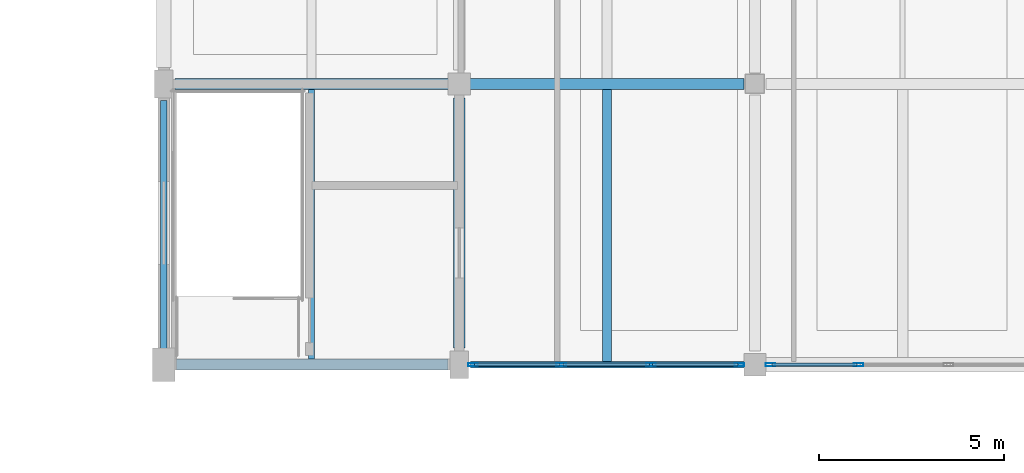
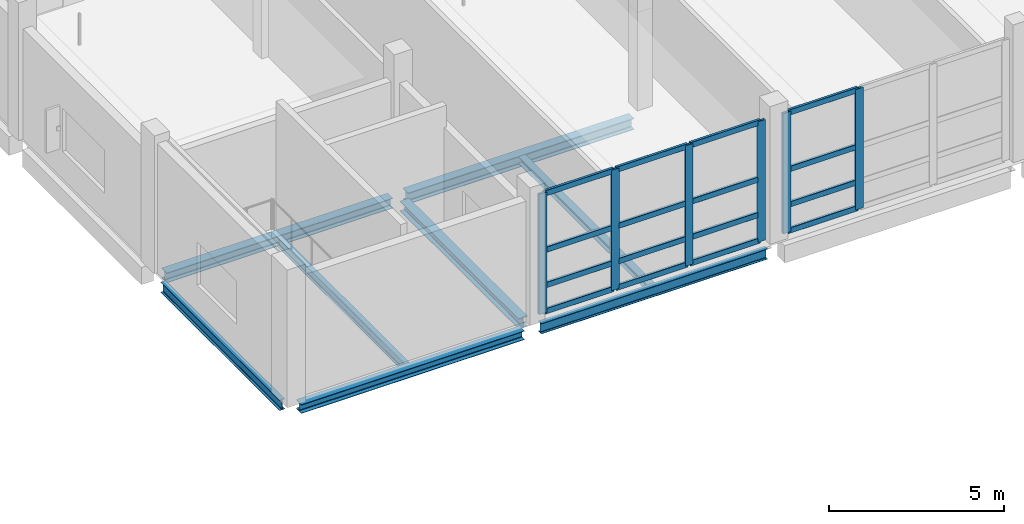
# One storey, part 56 of 147: 22 members, 8 beams, 2 elements without a shape of their own.
"""IFC4 building model written with IfcOpenShell, lengths in metres."""

from ifc_helpers import new_model, si_unit, direction, frame, origin, origin_2d, place, context, subcontext, project, spatial, hollow_rectangle, i_section, extrude, material, material_profile, profile_set, type_object, element, aggregate, save


model = new_model("IFC4")

# Units and contexts
model_context = context("Model", 3, precision=1e-05, world=origin(), true_north=direction((0.0, 1.0)))
body_context = subcontext(model_context, "Body", "Model", "MODEL_VIEW")
ifc_project = project(units=[si_unit("LENGTHUNIT", "METRE"), si_unit("AREAUNIT", "SQUARE_METRE"), si_unit("VOLUMEUNIT", "CUBIC_METRE"), si_unit("PLANEANGLEUNIT", "RADIAN"), si_unit("MASSUNIT", "GRAM", prefix="KILO")], contexts=[model_context])

# Site, building, storey
site_placement = place(None, origin())
site = spatial("IfcSite", under=ifc_project, at=site_placement, CompositionType="ELEMENT")
building_placement = place(site_placement, origin())
building = spatial("IfcBuilding", under=site, at=building_placement, Name="Khelvaren Railside Concert Hall", CompositionType="ELEMENT")
storey_placement = place(building_placement, frame((0.0, 0.0, 5.39990234375)))
storey = spatial("IfcBuildingStorey", under=building, at=storey_placement, Name="L01", CompositionType="ELEMENT", Elevation=5.39990234375)

# Beams
ifc_material_1 = material(Name="Steel S355", Category="steel")
ifc_material_profile_1 = material_profile(ifc_material_1, i_section(OverallWidth=0.300048828125, OverallDepth=0.389892578125, WebThickness=0.010986328125, FlangeThickness=0.01904296875, FilletRadius=0.027099609375, at=origin_2d()), Name="HEA 400")
ifc_profile_set_1 = profile_set([ifc_material_profile_1], Name="Steel S355")
beam_type_1 = type_object("IfcBeamType", Name="BM23", PredefinedType="BEAM", material=ifc_profile_set_1)
beam_1_placement = place(storey_placement, frame((136.25, 91.199951171875, -0.494873046875), z_axis=(1.0, 0.0, 0.0), x_axis=(0.0, 1.0, 0.0)))
element("IfcBeam", 1, at=beam_1_placement, inside=storey, type_object=beam_type_1, Name="V5 L01 Beam X2.2", PredefinedType="BEAM", context=body_context, shape_type="SweptSolid", body=[
    extrude(i_section(OverallWidth=0.300048828125, OverallDepth=0.389892578125, WebThickness=0.010986328125, FlangeThickness=0.01904296875, FilletRadius=0.027099609375, at=origin_2d()), origin(), (0.0, 0.0, 1.0), 7.449951171875),
])
ifc_material_profile_2 = material_profile(ifc_material_1, i_section(OverallWidth=0.300048828125, OverallDepth=0.35009765625, WebThickness=0.010009765625, FlangeThickness=0.017578125, FilletRadius=0.027099609375, at=origin_2d()), Name="HEA 360")
ifc_profile_set_2 = profile_set([ifc_material_profile_2], Name="Steel S355")
beam_type_2 = type_object("IfcBeamType", Name="BM73", PredefinedType="BEAM", material=ifc_profile_set_2)
beam_2_placement = place(storey_placement, frame((128.300048828125, 91.199951171875, -0.474853515625), z_axis=(1.0, 0.0, 0.0), x_axis=(0.0, 1.0, 0.0)))
element("IfcBeam", 2, at=beam_2_placement, inside=storey, type_object=beam_type_2, Name="V5 L01 Beam X2.1", PredefinedType="BEAM", context=body_context, shape_type="SweptSolid", body=[
    extrude(i_section(OverallWidth=0.300048828125, OverallDepth=0.35009765625, WebThickness=0.010009765625, FlangeThickness=0.017578125, FilletRadius=0.027099609375, at=origin_2d()), origin(), (0.0, 0.0, 1.0), 7.449951171875),
])
beam_3_placement = place(storey_placement, frame((136.0, 84.050048828125, -0.474853515625), z_axis=(0.0, 1.0, 0.0), x_axis=(-1.0, 0.0, 0.0)))
element("IfcBeam", 3, at=beam_3_placement, inside=storey, type_object=beam_type_2, Name="V5 L01 Beam Y2.1", PredefinedType="BEAM", context=body_context, shape_type="SweptSolid", body=[
    extrude(i_section(OverallWidth=0.300048828125, OverallDepth=0.35009765625, WebThickness=0.010009765625, FlangeThickness=0.017578125, FilletRadius=0.027099609375, at=origin_2d()), origin(), (0.0, 0.0, 1.0), 6.77490234375),
])

# Curtain wall, members
ifc_material_2 = material(Name="Acoustic laminated crystal facade glass", Category="glass")
curtain_wall_type_1 = type_object("IfcCurtainWallType", Name="CW54", PredefinedType="USERDEFINED", material=ifc_material_2)
curtain_wall_1_placement = place(storey_placement, origin())
curtain_wall_1 = element("IfcCurtainWall", 4, at=curtain_wall_1_placement, inside=storey, type_object=curtain_wall_type_1, Name="Unitised Curtain Wall CW-V5-L01-S-136", ObjectType="UNITISED CURTAIN WALL", PredefinedType="USERDEFINED")
ifc_material_3 = material(Name="Anodised architectural aluminium 6063-T6", Category="aluminium")
ifc_material_profile_3 = material_profile(ifc_material_3, hollow_rectangle(XDim=0.0849609375, YDim=0.260009765625, WallThickness=0.0048828125, InnerFilletRadius=0.0029296875, OuterFilletRadius=0.0048828125, at=origin_2d()), Name="CWM 85x260x5")
ifc_profile_set_3 = profile_set([ifc_material_profile_3], Name="Anodised architectural aluminium 6063-T6")
member_type_1 = type_object("IfcMemberType", Name="CWM40", PredefinedType="MULLION", material=ifc_profile_set_3)
member_1_placement = place(storey_placement, frame((143.580078125, 83.60009765625, 0.0), z_axis=(0.0, 0.0, 1.0), x_axis=(0.0, -1.0, 0.0)))
member_1 = element("IfcMember", 5, at=member_1_placement, type_object=member_type_1, Name="CW54 mullion 1", PredefinedType="MULLION", context=body_context, shape_type="SweptSolid", body=[
    extrude(hollow_rectangle(XDim=0.0849609375, YDim=0.260009765625, WallThickness=0.0048828125, InnerFilletRadius=0.0029296875, OuterFilletRadius=0.0048828125, at=origin_2d()), origin(), (0.0, 0.0, 1.0), 4.2001953125),
])
member_2_placement = place(storey_placement, frame((141.19091796875, 83.60009765625, 0.0), z_axis=(0.0, 0.0, 1.0), x_axis=(0.0, -1.0, 0.0)))
member_2 = element("IfcMember", 6, at=member_2_placement, type_object=member_type_1, Name="CW54 mullion 2", PredefinedType="MULLION", context=body_context, shape_type="SweptSolid", body=[
    extrude(hollow_rectangle(XDim=0.0849609375, YDim=0.260009765625, WallThickness=0.0048828125, InnerFilletRadius=0.0029296875, OuterFilletRadius=0.0048828125, at=origin_2d()), origin(), (0.0, 0.0, 1.0), 4.2001953125),
])
member_3_placement = place(storey_placement, frame((138.75927734375, 83.60009765625, 0.0), z_axis=(0.0, 0.0, 1.0), x_axis=(0.0, -1.0, 0.0)))
member_3 = element("IfcMember", 7, at=member_3_placement, type_object=member_type_1, Name="CW54 mullion 3", PredefinedType="MULLION", context=body_context, shape_type="SweptSolid", body=[
    extrude(hollow_rectangle(XDim=0.0849609375, YDim=0.260009765625, WallThickness=0.0048828125, InnerFilletRadius=0.0029296875, OuterFilletRadius=0.0048828125, at=origin_2d()), origin(), (0.0, 0.0, 1.0), 4.2001953125),
])
member_4_placement = place(storey_placement, frame((136.3701171875, 83.60009765625, 0.0), z_axis=(0.0, 0.0, 1.0), x_axis=(0.0, -1.0, 0.0)))
member_4 = element("IfcMember", 8, at=member_4_placement, type_object=member_type_1, Name="CW54 mullion 4", PredefinedType="MULLION", context=body_context, shape_type="SweptSolid", body=[
    extrude(hollow_rectangle(XDim=0.0849609375, YDim=0.260009765625, WallThickness=0.0048828125, InnerFilletRadius=0.0029296875, OuterFilletRadius=0.0048828125, at=origin_2d()), origin(), (0.0, 0.0, 1.0), 4.2001953125),
])

curtain_wall_type_2 = type_object("IfcCurtainWallType", Name="CW66", PredefinedType="USERDEFINED", material=ifc_material_2)
curtain_wall_2_placement = place(storey_placement, origin())
curtain_wall_2 = element("IfcCurtainWall", 9, at=curtain_wall_2_placement, inside=storey, type_object=curtain_wall_type_2, Name="Unitised Curtain Wall CW-V5-L01-S-144", ObjectType="UNITISED CURTAIN WALL", PredefinedType="USERDEFINED")
member_5_placement = place(storey_placement, frame((146.80908203125, 83.60009765625, 0.0), z_axis=(0.0, 0.0, 1.0), x_axis=(0.0, -1.0, 0.0)))
member_5 = element("IfcMember", 10, at=member_5_placement, type_object=member_type_1, Name="CW66 mullion 3", PredefinedType="MULLION", context=body_context, shape_type="SweptSolid", body=[
    extrude(hollow_rectangle(XDim=0.0849609375, YDim=0.260009765625, WallThickness=0.0048828125, InnerFilletRadius=0.0029296875, OuterFilletRadius=0.0048828125, at=origin_2d()), origin(), (0.0, 0.0, 1.0), 4.2001953125),
])
member_6_placement = place(storey_placement, frame((144.419921875, 83.60009765625, 0.0), z_axis=(0.0, 0.0, 1.0), x_axis=(0.0, -1.0, 0.0)))
member_6 = element("IfcMember", 11, at=member_6_placement, type_object=member_type_1, Name="CW66 mullion 4", PredefinedType="MULLION", context=body_context, shape_type="SweptSolid", body=[
    extrude(hollow_rectangle(XDim=0.0849609375, YDim=0.260009765625, WallThickness=0.0048828125, InnerFilletRadius=0.0029296875, OuterFilletRadius=0.0048828125, at=origin_2d()), origin(), (0.0, 0.0, 1.0), 4.2001953125),
])

# Member
ifc_material_profile_4 = material_profile(ifc_material_3, hollow_rectangle(XDim=0.0849609375, YDim=0.18994140625, WallThickness=0.0048828125, InnerFilletRadius=0.0029296875, OuterFilletRadius=0.0048828125, at=origin_2d()), Name="CWT 85x190x5")
ifc_profile_set_4 = profile_set([ifc_material_profile_4], Name="Anodised architectural aluminium 6063-T6")
member_type_2 = type_object("IfcMemberType", Name="CWT31", PredefinedType="USERDEFINED", material=ifc_profile_set_4)
member_7_placement = place(storey_placement, frame((143.53759765625, 83.60009765625, 0.04248046875), z_axis=(-1.0, 0.0, 0.0), x_axis=(0.0, -1.0, 0.0)))
member_7 = element("IfcMember", 12, at=member_7_placement, type_object=member_type_2, Name="CW54 transom 1.1", ObjectType="TRANSOM", PredefinedType="USERDEFINED", context=body_context, shape_type="SweptSolid", body=[
    extrude(hollow_rectangle(XDim=0.0849609375, YDim=0.18994140625, WallThickness=0.0048828125, InnerFilletRadius=0.0029296875, OuterFilletRadius=0.0048828125, at=origin_2d()), origin(), (0.0, 0.0, 1.0), 2.30419921875),
])

member_8_placement = place(storey_placement, frame((143.53759765625, 83.60009765625, 0.9501953125), z_axis=(-1.0, 0.0, 0.0), x_axis=(0.0, -1.0, 0.0)))
member_8 = element("IfcMember", 13, at=member_8_placement, type_object=member_type_2, Name="CW54 transom 1.2", ObjectType="TRANSOM", PredefinedType="USERDEFINED", context=body_context, shape_type="SweptSolid", body=[
    extrude(hollow_rectangle(XDim=0.0849609375, YDim=0.18994140625, WallThickness=0.0048828125, InnerFilletRadius=0.0029296875, OuterFilletRadius=0.0048828125, at=origin_2d()), origin(), (0.0, 0.0, 1.0), 2.30419921875),
])

member_9_placement = place(storey_placement, frame((143.53759765625, 83.60009765625, 2.18408203125), z_axis=(-1.0, 0.0, 0.0), x_axis=(0.0, -1.0, 0.0)))
member_9 = element("IfcMember", 14, at=member_9_placement, type_object=member_type_2, Name="CW54 transom 1.3", ObjectType="TRANSOM", PredefinedType="USERDEFINED", context=body_context, shape_type="SweptSolid", body=[
    extrude(hollow_rectangle(XDim=0.0849609375, YDim=0.18994140625, WallThickness=0.0048828125, InnerFilletRadius=0.0029296875, OuterFilletRadius=0.0048828125, at=origin_2d()), origin(), (0.0, 0.0, 1.0), 2.30419921875),
])

member_10_placement = place(storey_placement, frame((143.53759765625, 83.60009765625, 4.15771484375), z_axis=(-1.0, 0.0, 0.0), x_axis=(0.0, -1.0, 0.0)))
member_10 = element("IfcMember", 15, at=member_10_placement, type_object=member_type_2, Name="CW54 transom 1.4", ObjectType="TRANSOM", PredefinedType="USERDEFINED", context=body_context, shape_type="SweptSolid", body=[
    extrude(hollow_rectangle(XDim=0.0849609375, YDim=0.18994140625, WallThickness=0.0048828125, InnerFilletRadius=0.0029296875, OuterFilletRadius=0.0048828125, at=origin_2d()), origin(), (0.0, 0.0, 1.0), 2.30419921875),
])

member_11_placement = place(storey_placement, frame((141.1484375, 83.60009765625, 0.04248046875), z_axis=(-1.0, 0.0, 0.0), x_axis=(0.0, -1.0, 0.0)))
member_11 = element("IfcMember", 16, at=member_11_placement, type_object=member_type_2, Name="CW54 transom 2.1", ObjectType="TRANSOM", PredefinedType="USERDEFINED", context=body_context, shape_type="SweptSolid", body=[
    extrude(hollow_rectangle(XDim=0.0849609375, YDim=0.18994140625, WallThickness=0.0048828125, InnerFilletRadius=0.0029296875, OuterFilletRadius=0.0048828125, at=origin_2d()), origin(), (0.0, 0.0, 1.0), 2.3466796875),
])

member_12_placement = place(storey_placement, frame((141.1484375, 83.60009765625, 0.9501953125), z_axis=(-1.0, 0.0, 0.0), x_axis=(0.0, -1.0, 0.0)))
member_12 = element("IfcMember", 17, at=member_12_placement, type_object=member_type_2, Name="CW54 transom 2.2", ObjectType="TRANSOM", PredefinedType="USERDEFINED", context=body_context, shape_type="SweptSolid", body=[
    extrude(hollow_rectangle(XDim=0.0849609375, YDim=0.18994140625, WallThickness=0.0048828125, InnerFilletRadius=0.0029296875, OuterFilletRadius=0.0048828125, at=origin_2d()), origin(), (0.0, 0.0, 1.0), 2.3466796875),
])

member_13_placement = place(storey_placement, frame((141.1484375, 83.60009765625, 2.18408203125), z_axis=(-1.0, 0.0, 0.0), x_axis=(0.0, -1.0, 0.0)))
member_13 = element("IfcMember", 18, at=member_13_placement, type_object=member_type_2, Name="CW54 transom 2.3", ObjectType="TRANSOM", PredefinedType="USERDEFINED", context=body_context, shape_type="SweptSolid", body=[
    extrude(hollow_rectangle(XDim=0.0849609375, YDim=0.18994140625, WallThickness=0.0048828125, InnerFilletRadius=0.0029296875, OuterFilletRadius=0.0048828125, at=origin_2d()), origin(), (0.0, 0.0, 1.0), 2.3466796875),
])

member_14_placement = place(storey_placement, frame((141.1484375, 83.60009765625, 4.15771484375), z_axis=(-1.0, 0.0, 0.0), x_axis=(0.0, -1.0, 0.0)))
member_14 = element("IfcMember", 19, at=member_14_placement, type_object=member_type_2, Name="CW54 transom 2.4", ObjectType="TRANSOM", PredefinedType="USERDEFINED", context=body_context, shape_type="SweptSolid", body=[
    extrude(hollow_rectangle(XDim=0.0849609375, YDim=0.18994140625, WallThickness=0.0048828125, InnerFilletRadius=0.0029296875, OuterFilletRadius=0.0048828125, at=origin_2d()), origin(), (0.0, 0.0, 1.0), 2.3466796875),
])

member_15_placement = place(storey_placement, frame((138.716552734375, 83.60009765625, 0.04248046875), z_axis=(-1.0, 0.0, 0.0), x_axis=(0.0, -1.0, 0.0)))
member_15 = element("IfcMember", 20, at=member_15_placement, type_object=member_type_2, Name="CW54 transom 3.1", ObjectType="TRANSOM", PredefinedType="USERDEFINED", context=body_context, shape_type="SweptSolid", body=[
    extrude(hollow_rectangle(XDim=0.0849609375, YDim=0.18994140625, WallThickness=0.0048828125, InnerFilletRadius=0.0029296875, OuterFilletRadius=0.0048828125, at=origin_2d()), origin(), (0.0, 0.0, 1.0), 2.303955078125),
])

member_16_placement = place(storey_placement, frame((138.716552734375, 83.60009765625, 0.9501953125), z_axis=(-1.0, 0.0, 0.0), x_axis=(0.0, -1.0, 0.0)))
member_16 = element("IfcMember", 21, at=member_16_placement, type_object=member_type_2, Name="CW54 transom 3.2", ObjectType="TRANSOM", PredefinedType="USERDEFINED", context=body_context, shape_type="SweptSolid", body=[
    extrude(hollow_rectangle(XDim=0.0849609375, YDim=0.18994140625, WallThickness=0.0048828125, InnerFilletRadius=0.0029296875, OuterFilletRadius=0.0048828125, at=origin_2d()), origin(), (0.0, 0.0, 1.0), 2.303955078125),
])

member_17_placement = place(storey_placement, frame((138.716552734375, 83.60009765625, 2.18408203125), z_axis=(-1.0, 0.0, 0.0), x_axis=(0.0, -1.0, 0.0)))
member_17 = element("IfcMember", 22, at=member_17_placement, type_object=member_type_2, Name="CW54 transom 3.3", ObjectType="TRANSOM", PredefinedType="USERDEFINED", context=body_context, shape_type="SweptSolid", body=[
    extrude(hollow_rectangle(XDim=0.0849609375, YDim=0.18994140625, WallThickness=0.0048828125, InnerFilletRadius=0.0029296875, OuterFilletRadius=0.0048828125, at=origin_2d()), origin(), (0.0, 0.0, 1.0), 2.303955078125),
])

member_18_placement = place(storey_placement, frame((138.716552734375, 83.60009765625, 4.15771484375), z_axis=(-1.0, 0.0, 0.0), x_axis=(0.0, -1.0, 0.0)))
member_18 = element("IfcMember", 23, at=member_18_placement, type_object=member_type_2, Name="CW54 transom 3.4", ObjectType="TRANSOM", PredefinedType="USERDEFINED", context=body_context, shape_type="SweptSolid", body=[
    extrude(hollow_rectangle(XDim=0.0849609375, YDim=0.18994140625, WallThickness=0.0048828125, InnerFilletRadius=0.0029296875, OuterFilletRadius=0.0048828125, at=origin_2d()), origin(), (0.0, 0.0, 1.0), 2.303955078125),
])

aggregate(curtain_wall_1, [member_1, member_2, member_3, member_4, member_7, member_8, member_9, member_10, member_11, member_12, member_13, member_14, member_15, member_16, member_17, member_18])

member_19_placement = place(storey_placement, frame((146.7666015625, 83.60009765625, 0.04248046875), z_axis=(-1.0, 0.0, 0.0), x_axis=(0.0, -1.0, 0.0)))
member_19 = element("IfcMember", 24, at=member_19_placement, type_object=member_type_2, Name="CW66 transom 3.1", ObjectType="TRANSOM", PredefinedType="USERDEFINED", context=body_context, shape_type="SweptSolid", body=[
    extrude(hollow_rectangle(XDim=0.0849609375, YDim=0.18994140625, WallThickness=0.0048828125, InnerFilletRadius=0.0029296875, OuterFilletRadius=0.0048828125, at=origin_2d()), origin(), (0.0, 0.0, 1.0), 2.30419921875),
])

member_20_placement = place(storey_placement, frame((146.7666015625, 83.60009765625, 0.9501953125), z_axis=(-1.0, 0.0, 0.0), x_axis=(0.0, -1.0, 0.0)))
member_20 = element("IfcMember", 25, at=member_20_placement, type_object=member_type_2, Name="CW66 transom 3.2", ObjectType="TRANSOM", PredefinedType="USERDEFINED", context=body_context, shape_type="SweptSolid", body=[
    extrude(hollow_rectangle(XDim=0.0849609375, YDim=0.18994140625, WallThickness=0.0048828125, InnerFilletRadius=0.0029296875, OuterFilletRadius=0.0048828125, at=origin_2d()), origin(), (0.0, 0.0, 1.0), 2.30419921875),
])

member_21_placement = place(storey_placement, frame((146.7666015625, 83.60009765625, 2.18408203125), z_axis=(-1.0, 0.0, 0.0), x_axis=(0.0, -1.0, 0.0)))
member_21 = element("IfcMember", 26, at=member_21_placement, type_object=member_type_2, Name="CW66 transom 3.3", ObjectType="TRANSOM", PredefinedType="USERDEFINED", context=body_context, shape_type="SweptSolid", body=[
    extrude(hollow_rectangle(XDim=0.0849609375, YDim=0.18994140625, WallThickness=0.0048828125, InnerFilletRadius=0.0029296875, OuterFilletRadius=0.0048828125, at=origin_2d()), origin(), (0.0, 0.0, 1.0), 2.30419921875),
])

member_22_placement = place(storey_placement, frame((146.7666015625, 83.60009765625, 4.15771484375), z_axis=(-1.0, 0.0, 0.0), x_axis=(0.0, -1.0, 0.0)))
member_22 = element("IfcMember", 27, at=member_22_placement, type_object=member_type_2, Name="CW66 transom 3.4", ObjectType="TRANSOM", PredefinedType="USERDEFINED", context=body_context, shape_type="SweptSolid", body=[
    extrude(hollow_rectangle(XDim=0.0849609375, YDim=0.18994140625, WallThickness=0.0048828125, InnerFilletRadius=0.0029296875, OuterFilletRadius=0.0048828125, at=origin_2d()), origin(), (0.0, 0.0, 1.0), 2.30419921875),
])

aggregate(curtain_wall_2, [member_5, member_6, member_19, member_20, member_21, member_22])

# Beams
ifc_material_profile_5 = material_profile(ifc_material_1, i_section(OverallWidth=0.159912109375, OverallDepth=0.330078125, WebThickness=0.007568359375, FlangeThickness=0.011474609375, FilletRadius=0.01806640625, at=origin_2d()), Name="IPE 330")
ifc_profile_set_5 = profile_set([ifc_material_profile_5], Name="Steel S355")
beam_type_3 = type_object("IfcBeamType", Name="JS65", PredefinedType="JOIST", material=ifc_profile_set_5)
beam_4_placement = place(storey_placement, frame((132.0, 83.75, -0.46484375), z_axis=(0.0, 1.0, 0.0), x_axis=(-1.0, 0.0, 0.0)))
element("IfcBeam", 28, at=beam_4_placement, inside=storey, type_object=beam_type_3, Name="V5 L01 Secondary Joist 1.1", PredefinedType="JOIST", context=body_context, shape_type="SweptSolid", body=[
    extrude(i_section(OverallWidth=0.159912109375, OverallDepth=0.330078125, WebThickness=0.007568359375, FlangeThickness=0.011474609375, FilletRadius=0.01806640625, at=origin_2d()), origin(), (0.0, 0.0, 1.0), 7.300048828125),
])
ifc_material_profile_6 = material_profile(ifc_material_1, i_section(OverallWidth=0.239990234375, OverallDepth=0.22998046875, WebThickness=0.007568359375, FlangeThickness=0.011962890625, FilletRadius=0.02099609375, at=origin_2d()), Name="HEA 240")
ifc_profile_set_6 = profile_set([ifc_material_profile_6], Name="Steel S355")
beam_type_4 = type_object("IfcBeamType", Name="JS76", PredefinedType="JOIST", material=ifc_profile_set_6)
beam_5_placement = place(storey_placement, frame((140.0, 83.68505859375, -0.414794921875), z_axis=(0.0, 1.0, 0.0), x_axis=(-1.0, 0.0, 0.0)))
element("IfcBeam", 29, at=beam_5_placement, inside=storey, type_object=beam_type_4, Name="V5 L01 Secondary Joist 2.1", PredefinedType="JOIST", context=body_context, shape_type="SweptSolid", body=[
    extrude(i_section(OverallWidth=0.239990234375, OverallDepth=0.22998046875, WebThickness=0.007568359375, FlangeThickness=0.011962890625, FilletRadius=0.02099609375, at=origin_2d()), origin(), (0.0, 0.0, 1.0), 7.364990234375),
])
ifc_material_profile_7 = material_profile(ifc_material_1, i_section(OverallWidth=0.300048828125, OverallDepth=0.31005859375, WebThickness=0.009033203125, FlangeThickness=0.015380859375, FilletRadius=0.027099609375, at=origin_2d()), Name="HEA 320")
ifc_profile_set_7 = profile_set([ifc_material_profile_7], Name="Steel S355")
beam_type_5 = type_object("IfcBeamType", Name="SP66", PredefinedType="SPANDREL", material=ifc_profile_set_7)
beam_6_placement = place(storey_placement, frame((128.35009765625, 83.60009765625, -0.454833984375), z_axis=(1.0, 0.0, 0.0), x_axis=(0.0, 1.0, 0.0)))
element("IfcBeam", 30, at=beam_6_placement, inside=storey, type_object=beam_type_5, Name="V5 L01 Spandrel X1.1", PredefinedType="SPANDREL", context=body_context, shape_type="SweptSolid", body=[
    extrude(i_section(OverallWidth=0.300048828125, OverallDepth=0.31005859375, WebThickness=0.009033203125, FlangeThickness=0.015380859375, FilletRadius=0.027099609375, at=origin_2d()), origin(), (0.0, 0.0, 1.0), 7.349853515625),
])
ifc_material_profile_8 = material_profile(ifc_material_1, i_section(OverallWidth=0.169921875, OverallDepth=0.360107421875, WebThickness=0.008056640625, FlangeThickness=0.0126953125, FilletRadius=0.01806640625, at=origin_2d()), Name="IPE 360")
ifc_profile_set_8 = profile_set([ifc_material_profile_8], Name="Steel S355")
beam_type_6 = type_object("IfcBeamType", Name="SP74", PredefinedType="SPANDREL", material=ifc_profile_set_8)
beam_7_placement = place(storey_placement, frame((136.300048828125, 83.60009765625, -0.47998046875), z_axis=(1.0, 0.0, 0.0), x_axis=(0.0, 1.0, 0.0)))
element("IfcBeam", 31, at=beam_7_placement, inside=storey, type_object=beam_type_6, Name="V5 L01 Spandrel X1.2", PredefinedType="SPANDREL", context=body_context, shape_type="SweptSolid", body=[
    extrude(i_section(OverallWidth=0.169921875, OverallDepth=0.360107421875, WebThickness=0.008056640625, FlangeThickness=0.0126953125, FilletRadius=0.01806640625, at=origin_2d()), origin(), (0.0, 0.0, 1.0), 7.449951171875),
])
beam_8_placement = place(storey_placement, frame((128.0, 83.949951171875, -0.47998046875), z_axis=(0.0, 1.0, 0.0), x_axis=(-1.0, 0.0, 0.0)))
element("IfcBeam", 32, at=beam_8_placement, inside=storey, type_object=beam_type_6, Name="V5 L01 Spandrel Y1.1", PredefinedType="SPANDREL", context=body_context, shape_type="SweptSolid", body=[
    extrude(i_section(OverallWidth=0.169921875, OverallDepth=0.360107421875, WebThickness=0.008056640625, FlangeThickness=0.0126953125, FilletRadius=0.01806640625, at=origin_2d()), origin(), (0.0, 0.0, 1.0), 6.800048828125),
])

save(model, "model.ifc")
